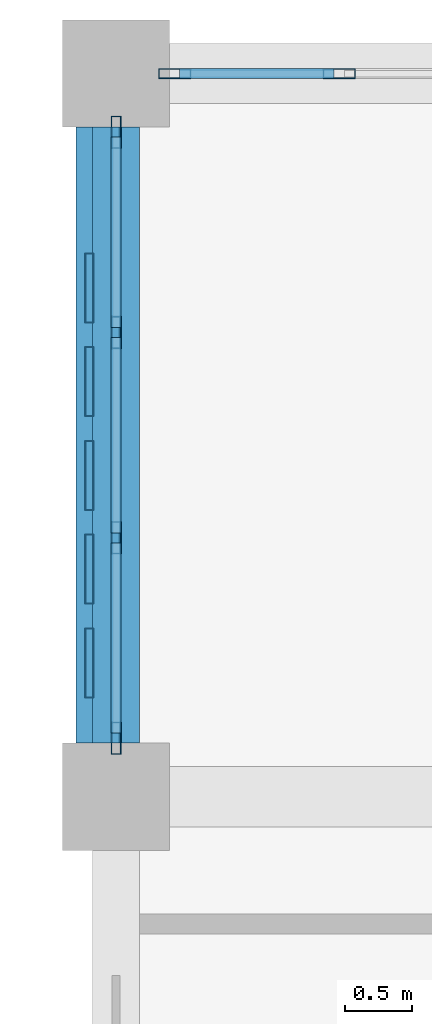
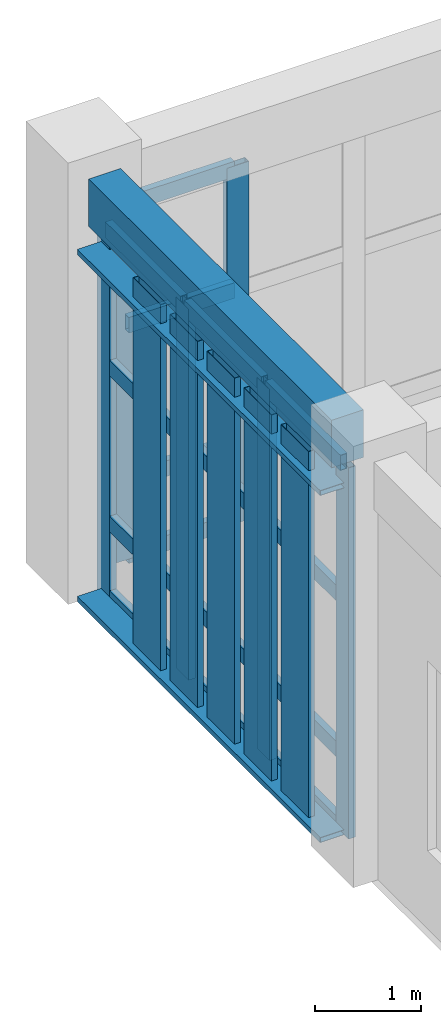
# One storey, part 35 of 77: 29 members, 1 beam, 2 elements without a shape of their own.
"""IFC4 building model written with IfcOpenShell, lengths in metres."""

from ifc_helpers import new_model, si_unit, direction, frame, origin, origin_2d, place, context, subcontext, project, spatial, rectangle, hollow_rectangle, extrude, material, layer, layer_set, material_profile, profile_set, type_object, element, aggregate, save


model = new_model("IFC4")

# Units and contexts
model_context = context("Model", 3, precision=1e-05, world=origin(), true_north=direction((0.0, 1.0)))
body_context = subcontext(model_context, "Body", "Model", "MODEL_VIEW")
ifc_project = project(units=[si_unit("LENGTHUNIT", "METRE"), si_unit("AREAUNIT", "SQUARE_METRE"), si_unit("VOLUMEUNIT", "CUBIC_METRE"), si_unit("PLANEANGLEUNIT", "RADIAN"), si_unit("MASSUNIT", "GRAM", prefix="KILO")], contexts=[model_context])

# Site, building, storey
site_placement = place(None, origin())
site = spatial("IfcSite", under=ifc_project, at=site_placement, CompositionType="ELEMENT")
building_placement = place(site_placement, origin())
building = spatial("IfcBuilding", under=site, at=building_placement, Name="Krzemoval Escarpment Law Courts", CompositionType="ELEMENT")
storey_placement = place(building_placement, frame((0.0, 0.0, 15.300048828125)))
storey = spatial("IfcBuildingStorey", under=building, at=storey_placement, Name="L03", CompositionType="ELEMENT", Elevation=15.300048828125)

# Beam
ifc_material_1 = material(Name="Concrete C40/50", Category="concrete")
ifc_material_profile_1 = material_profile(ifc_material_1, rectangle(XDim=0.35009765625, YDim=0.550048828125, at=origin_2d()), Name="RCB 350x550")
ifc_profile_set_1 = profile_set([ifc_material_profile_1], Name="Concrete C40/50")
beam_type = type_object("IfcBeamType", Name="BM-RC-350x550", PredefinedType="BEAM", material=ifc_profile_set_1)
beam_placement = place(storey_placement, frame((126.0, 113.800048828125, 4.56494140625), z_axis=(0.0, 1.0, 0.0), x_axis=(-1.0, 0.0, 0.0)))
element("IfcBeam", 1, at=beam_placement, inside=storey, type_object=beam_type, Name="Beam FG-L03-2314", PredefinedType="BEAM", context=body_context, shape_type="SweptSolid", body=[
    extrude(rectangle(XDim=0.35009765625, YDim=0.550048828125, at=origin_2d()), origin(), (0.0, 0.0, 1.0), 4.599853515625),
])

# Curtain wall, members
ifc_material_2 = material(Name="Aluminium 6063-T6", Category="aluminium")
ifc_layer = layer(ifc_material_2, 0.239990234375)
ifc_layer_set = layer_set([ifc_layer], Name="Aluminium 6063-T6")
curtain_wall_type = type_object("IfcCurtainWallType", Name="CW-CHMB-4800", PredefinedType="USERDEFINED", material=ifc_layer_set)
curtain_wall_1_placement = place(storey_placement, origin())
curtain_wall_1 = element("IfcCurtainWall", 2, at=curtain_wall_1_placement, inside=storey, type_object=curtain_wall_type, Name="Unitised Curtain Wall FCW-L03-113", ObjectType="UNITISED_CURTAIN_WALL", PredefinedType="USERDEFINED")
ifc_material_3 = material(Name="Aluminium 6063-T6", Category="aluminium")
ifc_material_profile_2 = material_profile(ifc_material_3, hollow_rectangle(XDim=0.074951171875, YDim=0.239990234375, WallThickness=0.0048828125, at=origin_2d()), Name="ALU M75x240")
ifc_profile_set_2 = profile_set([ifc_material_profile_2], Name="Aluminium 6063-T6")
member_type_1 = type_object("IfcMemberType", Name="CWM-75x240", PredefinedType="MULLION", material=ifc_profile_set_2)
member_1_placement = place(storey_placement, frame((126.0, 113.83740234375, 0.0), z_axis=(0.0, 0.0, 1.0), x_axis=(-1.0, 0.0, 0.0)))
member_1 = element("IfcMember", 3, at=member_1_placement, type_object=member_type_1, Name="FCW-L03-113 mullion 1", PredefinedType="MULLION", context=body_context, shape_type="SweptSolid", body=[
    extrude(hollow_rectangle(XDim=0.074951171875, YDim=0.239990234375, WallThickness=0.0048828125, at=origin_2d()), origin(), (0.0, 0.0, 1.0), 4.2900390625),
])
member_2_placement = place(storey_placement, frame((126.0, 115.333251953125, 0.0), z_axis=(0.0, 0.0, 1.0), x_axis=(-1.0, 0.0, 0.0)))
member_2 = element("IfcMember", 4, at=member_2_placement, type_object=member_type_1, Name="FCW-L03-113 mullion 2", PredefinedType="MULLION", context=body_context, shape_type="SweptSolid", body=[
    extrude(hollow_rectangle(XDim=0.074951171875, YDim=0.239990234375, WallThickness=0.0048828125, at=origin_2d()), origin(), (0.0, 0.0, 1.0), 4.2900390625),
])
member_3_placement = place(storey_placement, frame((126.0, 116.86669921875, 0.0), z_axis=(0.0, 0.0, 1.0), x_axis=(-1.0, 0.0, 0.0)))
member_3 = element("IfcMember", 5, at=member_3_placement, type_object=member_type_1, Name="FCW-L03-113 mullion 3", PredefinedType="MULLION", context=body_context, shape_type="SweptSolid", body=[
    extrude(hollow_rectangle(XDim=0.074951171875, YDim=0.239990234375, WallThickness=0.0048828125, at=origin_2d()), origin(), (0.0, 0.0, 1.0), 4.2900390625),
])
member_4_placement = place(storey_placement, frame((126.0, 118.362548828125, 0.0), z_axis=(0.0, 0.0, 1.0), x_axis=(-1.0, 0.0, 0.0)))
member_4 = element("IfcMember", 6, at=member_4_placement, type_object=member_type_1, Name="FCW-L03-113 mullion 4", PredefinedType="MULLION", context=body_context, shape_type="SweptSolid", body=[
    extrude(hollow_rectangle(XDim=0.074951171875, YDim=0.239990234375, WallThickness=0.0048828125, at=origin_2d()), origin(), (0.0, 0.0, 1.0), 4.2900390625),
])

curtain_wall_2_placement = place(storey_placement, origin())
curtain_wall_2 = element("IfcCurtainWall", 7, at=curtain_wall_2_placement, inside=storey, type_object=curtain_wall_type, Name="Unitised Curtain Wall FCW-L03-114", ObjectType="UNITISED_CURTAIN_WALL", PredefinedType="USERDEFINED")
member_5_placement = place(storey_placement, frame((126.4375, 118.800048828125, 0.0), z_axis=(0.0, 0.0, 1.0), x_axis=(0.0, 1.0, 0.0)))
member_5 = element("IfcMember", 8, at=member_5_placement, type_object=member_type_1, Name="FCW-L03-114 mullion 1", PredefinedType="MULLION", context=body_context, shape_type="SweptSolid", body=[
    extrude(hollow_rectangle(XDim=0.074951171875, YDim=0.239990234375, WallThickness=0.0048828125, at=origin_2d()), origin(), (0.0, 0.0, 1.0), 4.139892578125),
])
member_6_placement = place(storey_placement, frame((127.666748046875, 118.800048828125, 0.0), z_axis=(0.0, 0.0, 1.0), x_axis=(0.0, 1.0, 0.0)))
member_6 = element("IfcMember", 9, at=member_6_placement, type_object=member_type_1, Name="FCW-L03-114 mullion 2", PredefinedType="MULLION", context=body_context, shape_type="SweptSolid", body=[
    extrude(hollow_rectangle(XDim=0.074951171875, YDim=0.239990234375, WallThickness=0.0048828125, at=origin_2d()), origin(), (0.0, 0.0, 1.0), 4.139892578125),
])

# Member
ifc_material_4 = material(Name="Aluminium 6063-T6", Category="aluminium")
ifc_material_profile_3 = material_profile(ifc_material_4, hollow_rectangle(XDim=0.074951171875, YDim=0.179931640625, WallThickness=0.0048828125, at=origin_2d()), Name="ALU T75x180")
ifc_profile_set_3 = profile_set([ifc_material_profile_3], Name="Aluminium 6063-T6")
member_type_2 = type_object("IfcMemberType", Name="CWT-75x180", PredefinedType="USERDEFINED", material=ifc_profile_set_3)
member_7_placement = place(storey_placement, frame((126.0, 113.875, 0.037353515625), z_axis=(0.0, 1.0, 0.0), x_axis=(-1.0, 0.0, 0.0)))
member_7 = element("IfcMember", 10, at=member_7_placement, type_object=member_type_2, Name="FCW-L03-113 transom 1.1", ObjectType="TRANSOM", PredefinedType="USERDEFINED", context=body_context, shape_type="SweptSolid", body=[
    extrude(hollow_rectangle(XDim=0.074951171875, YDim=0.179931640625, WallThickness=0.0048828125, at=origin_2d()), origin(), (0.0, 0.0, 1.0), 1.4208984375),
])

member_8_placement = place(storey_placement, frame((126.0, 113.875, 0.89990234375), z_axis=(0.0, 1.0, 0.0), x_axis=(-1.0, 0.0, 0.0)))
member_8 = element("IfcMember", 11, at=member_8_placement, type_object=member_type_2, Name="FCW-L03-113 transom 1.2", ObjectType="TRANSOM", PredefinedType="USERDEFINED", context=body_context, shape_type="SweptSolid", body=[
    extrude(hollow_rectangle(XDim=0.074951171875, YDim=0.179931640625, WallThickness=0.0048828125, at=origin_2d()), origin(), (0.0, 0.0, 1.0), 1.4208984375),
])

member_9_placement = place(storey_placement, frame((126.0, 113.875, 2.699951171875), z_axis=(0.0, 1.0, 0.0), x_axis=(-1.0, 0.0, 0.0)))
member_9 = element("IfcMember", 12, at=member_9_placement, type_object=member_type_2, Name="FCW-L03-113 transom 1.3", ObjectType="TRANSOM", PredefinedType="USERDEFINED", context=body_context, shape_type="SweptSolid", body=[
    extrude(hollow_rectangle(XDim=0.074951171875, YDim=0.179931640625, WallThickness=0.0048828125, at=origin_2d()), origin(), (0.0, 0.0, 1.0), 1.4208984375),
])

member_10_placement = place(storey_placement, frame((126.0, 113.875, 4.25244140625), z_axis=(0.0, 1.0, 0.0), x_axis=(-1.0, 0.0, 0.0)))
member_10 = element("IfcMember", 13, at=member_10_placement, type_object=member_type_2, Name="FCW-L03-113 transom 1.4", ObjectType="TRANSOM", PredefinedType="USERDEFINED", context=body_context, shape_type="SweptSolid", body=[
    extrude(hollow_rectangle(XDim=0.074951171875, YDim=0.179931640625, WallThickness=0.0048828125, at=origin_2d()), origin(), (0.0, 0.0, 1.0), 1.4208984375),
])

member_11_placement = place(storey_placement, frame((126.0, 115.370849609375, 0.037353515625), z_axis=(0.0, 1.0, 0.0), x_axis=(-1.0, 0.0, 0.0)))
member_11 = element("IfcMember", 14, at=member_11_placement, type_object=member_type_2, Name="FCW-L03-113 transom 2.1", ObjectType="TRANSOM", PredefinedType="USERDEFINED", context=body_context, shape_type="SweptSolid", body=[
    extrude(hollow_rectangle(XDim=0.074951171875, YDim=0.179931640625, WallThickness=0.0048828125, at=origin_2d()), origin(), (0.0, 0.0, 1.0), 1.458251953125),
])

member_12_placement = place(storey_placement, frame((126.0, 115.370849609375, 0.89990234375), z_axis=(0.0, 1.0, 0.0), x_axis=(-1.0, 0.0, 0.0)))
member_12 = element("IfcMember", 15, at=member_12_placement, type_object=member_type_2, Name="FCW-L03-113 transom 2.2", ObjectType="TRANSOM", PredefinedType="USERDEFINED", context=body_context, shape_type="SweptSolid", body=[
    extrude(hollow_rectangle(XDim=0.074951171875, YDim=0.179931640625, WallThickness=0.0048828125, at=origin_2d()), origin(), (0.0, 0.0, 1.0), 1.458251953125),
])

member_13_placement = place(storey_placement, frame((126.0, 115.370849609375, 2.699951171875), z_axis=(0.0, 1.0, 0.0), x_axis=(-1.0, 0.0, 0.0)))
member_13 = element("IfcMember", 16, at=member_13_placement, type_object=member_type_2, Name="FCW-L03-113 transom 2.3", ObjectType="TRANSOM", PredefinedType="USERDEFINED", context=body_context, shape_type="SweptSolid", body=[
    extrude(hollow_rectangle(XDim=0.074951171875, YDim=0.179931640625, WallThickness=0.0048828125, at=origin_2d()), origin(), (0.0, 0.0, 1.0), 1.458251953125),
])

member_14_placement = place(storey_placement, frame((126.0, 115.370849609375, 4.25244140625), z_axis=(0.0, 1.0, 0.0), x_axis=(-1.0, 0.0, 0.0)))
member_14 = element("IfcMember", 17, at=member_14_placement, type_object=member_type_2, Name="FCW-L03-113 transom 2.4", ObjectType="TRANSOM", PredefinedType="USERDEFINED", context=body_context, shape_type="SweptSolid", body=[
    extrude(hollow_rectangle(XDim=0.074951171875, YDim=0.179931640625, WallThickness=0.0048828125, at=origin_2d()), origin(), (0.0, 0.0, 1.0), 1.458251953125),
])

member_15_placement = place(storey_placement, frame((126.0, 116.904052734375, 0.037353515625), z_axis=(0.0, 1.0, 0.0), x_axis=(-1.0, 0.0, 0.0)))
member_15 = element("IfcMember", 18, at=member_15_placement, type_object=member_type_2, Name="FCW-L03-113 transom 3.1", ObjectType="TRANSOM", PredefinedType="USERDEFINED", context=body_context, shape_type="SweptSolid", body=[
    extrude(hollow_rectangle(XDim=0.074951171875, YDim=0.179931640625, WallThickness=0.0048828125, at=origin_2d()), origin(), (0.0, 0.0, 1.0), 1.4208984375),
])

member_16_placement = place(storey_placement, frame((126.0, 116.904052734375, 0.89990234375), z_axis=(0.0, 1.0, 0.0), x_axis=(-1.0, 0.0, 0.0)))
member_16 = element("IfcMember", 19, at=member_16_placement, type_object=member_type_2, Name="FCW-L03-113 transom 3.2", ObjectType="TRANSOM", PredefinedType="USERDEFINED", context=body_context, shape_type="SweptSolid", body=[
    extrude(hollow_rectangle(XDim=0.074951171875, YDim=0.179931640625, WallThickness=0.0048828125, at=origin_2d()), origin(), (0.0, 0.0, 1.0), 1.4208984375),
])

member_17_placement = place(storey_placement, frame((126.0, 116.904052734375, 2.699951171875), z_axis=(0.0, 1.0, 0.0), x_axis=(-1.0, 0.0, 0.0)))
member_17 = element("IfcMember", 20, at=member_17_placement, type_object=member_type_2, Name="FCW-L03-113 transom 3.3", ObjectType="TRANSOM", PredefinedType="USERDEFINED", context=body_context, shape_type="SweptSolid", body=[
    extrude(hollow_rectangle(XDim=0.074951171875, YDim=0.179931640625, WallThickness=0.0048828125, at=origin_2d()), origin(), (0.0, 0.0, 1.0), 1.4208984375),
])

member_18_placement = place(storey_placement, frame((126.0, 116.904052734375, 4.25244140625), z_axis=(0.0, 1.0, 0.0), x_axis=(-1.0, 0.0, 0.0)))
member_18 = element("IfcMember", 21, at=member_18_placement, type_object=member_type_2, Name="FCW-L03-113 transom 3.4", ObjectType="TRANSOM", PredefinedType="USERDEFINED", context=body_context, shape_type="SweptSolid", body=[
    extrude(hollow_rectangle(XDim=0.074951171875, YDim=0.179931640625, WallThickness=0.0048828125, at=origin_2d()), origin(), (0.0, 0.0, 1.0), 1.4208984375),
])

aggregate(curtain_wall_1, [member_1, member_2, member_3, member_4, member_7, member_8, member_9, member_10, member_11, member_12, member_13, member_14, member_15, member_16, member_17, member_18])

member_19_placement = place(storey_placement, frame((126.47509765625, 118.800048828125, 0.037353515625), z_axis=(1.0, 0.0, 0.0), x_axis=(0.0, 1.0, 0.0)))
member_19 = element("IfcMember", 22, at=member_19_placement, type_object=member_type_2, Name="FCW-L03-114 transom 1.1", ObjectType="TRANSOM", PredefinedType="USERDEFINED", context=body_context, shape_type="SweptSolid", body=[
    extrude(hollow_rectangle(XDim=0.074951171875, YDim=0.179931640625, WallThickness=0.0048828125, at=origin_2d()), origin(), (0.0, 0.0, 1.0), 1.154052734375),
])

member_20_placement = place(storey_placement, frame((126.47509765625, 118.800048828125, 0.89990234375), z_axis=(1.0, 0.0, 0.0), x_axis=(0.0, 1.0, 0.0)))
member_20 = element("IfcMember", 23, at=member_20_placement, type_object=member_type_2, Name="FCW-L03-114 transom 1.2", ObjectType="TRANSOM", PredefinedType="USERDEFINED", context=body_context, shape_type="SweptSolid", body=[
    extrude(hollow_rectangle(XDim=0.074951171875, YDim=0.179931640625, WallThickness=0.0048828125, at=origin_2d()), origin(), (0.0, 0.0, 1.0), 1.154052734375),
])

member_21_placement = place(storey_placement, frame((126.47509765625, 118.800048828125, 2.699951171875), z_axis=(1.0, 0.0, 0.0), x_axis=(0.0, 1.0, 0.0)))
member_21 = element("IfcMember", 24, at=member_21_placement, type_object=member_type_2, Name="FCW-L03-114 transom 1.3", ObjectType="TRANSOM", PredefinedType="USERDEFINED", context=body_context, shape_type="SweptSolid", body=[
    extrude(hollow_rectangle(XDim=0.074951171875, YDim=0.179931640625, WallThickness=0.0048828125, at=origin_2d()), origin(), (0.0, 0.0, 1.0), 1.154052734375),
])

member_22_placement = place(storey_placement, frame((126.47509765625, 118.800048828125, 4.1025390625), z_axis=(1.0, 0.0, 0.0), x_axis=(0.0, 1.0, 0.0)))
member_22 = element("IfcMember", 25, at=member_22_placement, type_object=member_type_2, Name="FCW-L03-114 transom 1.4", ObjectType="TRANSOM", PredefinedType="USERDEFINED", context=body_context, shape_type="SweptSolid", body=[
    extrude(hollow_rectangle(XDim=0.074951171875, YDim=0.179931640625, WallThickness=0.0048828125, at=origin_2d()), origin(), (0.0, 0.0, 1.0), 1.154052734375),
])

aggregate(curtain_wall_2, [member_5, member_6, member_19, member_20, member_21, member_22])

# Members
ifc_material_5 = material(Name="Anodised Aluminium Alloy 6063-T6", Category="aluminium")
ifc_material_profile_4 = material_profile(ifc_material_5, hollow_rectangle(XDim=0.06005859375, YDim=0.320068359375, WallThickness=0.00390625, at=origin_2d()), Name="ALU LVR 60x320")
ifc_profile_set_4 = profile_set([ifc_material_profile_4], Name="Anodised Aluminium Alloy 6063-T6")
member_type_3 = type_object("IfcMemberType", Name="LVR-ALU-320", PredefinedType="USERDEFINED", material=ifc_profile_set_4)
for number, where, z_axis, x_axis, name in (
    (26, (125.860107421875, 113.800048828125, 0.030029296875), (0.0, 1.0, 0.0), (0.0, 0.0, 1.0), "Sunshade Support Rail FSR-L03-0781"),
    (27, (125.860107421875, 113.800048828125, 4.0400390625), (0.0, 1.0, 0.0), (0.0, 0.0, 1.0), "Sunshade Support Rail FSR-L03-0782"),
):
    element("IfcMember", number, at=place(storey_placement, frame(where, z_axis=z_axis, x_axis=x_axis)), inside=storey, type_object=member_type_3, Name=name, ObjectType="SUNSHADE_LOUVRE", PredefinedType="USERDEFINED", context=body_context, shape_type="SweptSolid", body=[
        extrude(hollow_rectangle(XDim=0.06005859375, YDim=0.320068359375, WallThickness=0.00390625, at=origin_2d()), origin(), (0.0, 0.0, 1.0), 4.599853515625),
    ])
ifc_material_6 = material(Name="Anodised Aluminium Alloy 6063-T6", Category="aluminium")
ifc_material_profile_5 = material_profile(ifc_material_6, hollow_rectangle(XDim=0.06494140625, YDim=0.52001953125, WallThickness=0.00439453125, at=origin_2d()), Name="ALU LVR 65x520")
ifc_profile_set_5 = profile_set([ifc_material_profile_5], Name="Anodised Aluminium Alloy 6063-T6")
member_type_4 = type_object("IfcMemberType", Name="LVR-ALU-520", PredefinedType="USERDEFINED", material=ifc_profile_set_5)
for number, where, z_axis, x_axis, name in (
    (28, (125.800048828125, 114.39990234375, 0.06005859375), (0.0, 0.0, 1.0), (1.0, 0.0, 0.0), "Sunshade Louvre Fin FLV-L03-0783"),
    (29, (125.800048828125, 115.10009765625, 0.06005859375), (0.0, 0.0, 1.0), (1.0, 0.0, 0.0), "Sunshade Louvre Fin FLV-L03-0784"),
    (30, (125.800048828125, 115.800048828125, 0.06005859375), (0.0, 0.0, 1.0), (1.0, 0.0, 0.0), "Sunshade Louvre Fin FLV-L03-0785"),
    (31, (125.800048828125, 116.5, 0.06005859375), (0.0, 0.0, 1.0), (1.0, 0.0, 0.0), "Sunshade Louvre Fin FLV-L03-0786"),
    (32, (125.800048828125, 117.199951171875, 0.06005859375), (0.0, 0.0, 1.0), (1.0, 0.0, 0.0), "Sunshade Louvre Fin FLV-L03-0787"),
):
    element("IfcMember", number, at=place(storey_placement, frame(where, z_axis=z_axis, x_axis=x_axis)), inside=storey, type_object=member_type_4, Name=name, ObjectType="SUNSHADE_LOUVRE", PredefinedType="USERDEFINED", context=body_context, shape_type="SweptSolid", body=[
        extrude(hollow_rectangle(XDim=0.06494140625, YDim=0.52001953125, WallThickness=0.00439453125, at=origin_2d()), origin(), (0.0, 0.0, 1.0), 4.22998046875),
    ])

save(model, "model.ifc")
